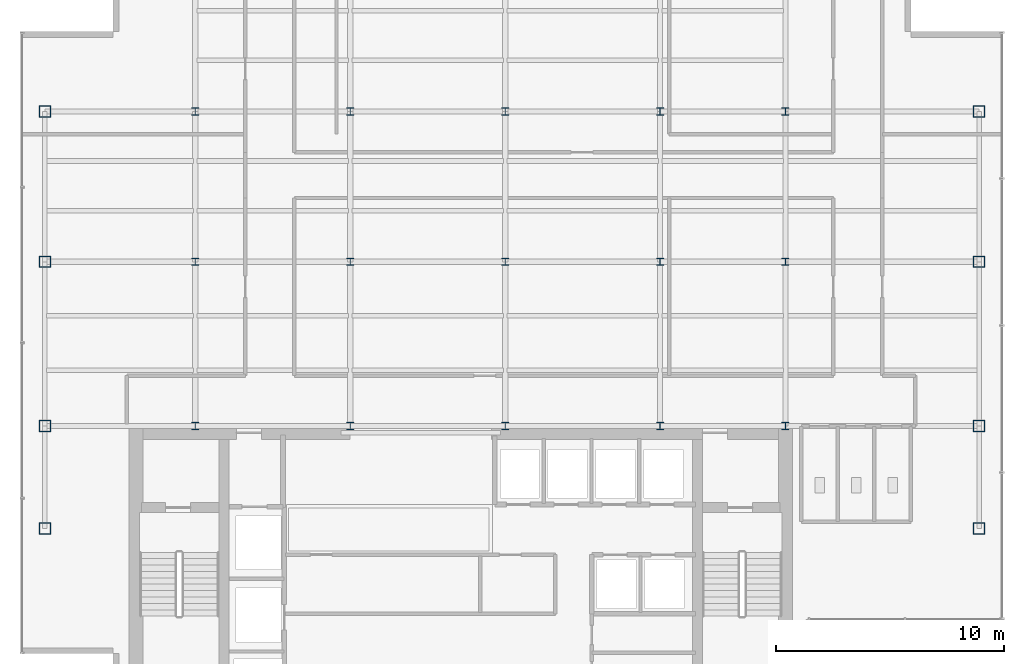
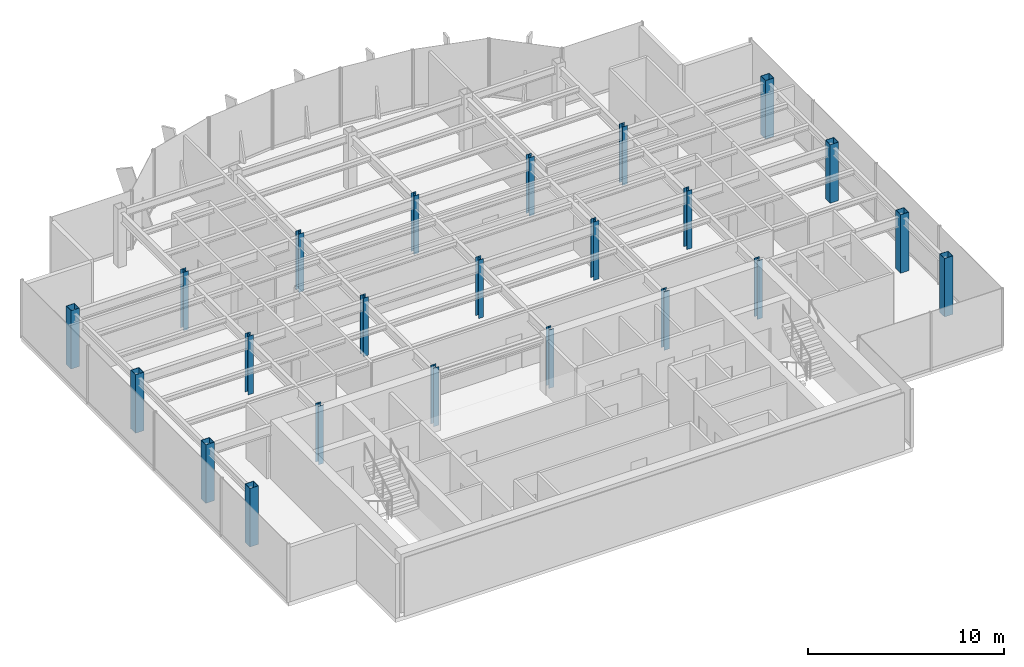
# One storey, part 1 of 22: 23 columns.
"""IFC4 building model written with IfcOpenShell, lengths in metres."""

from ifc_helpers import new_model, si_unit, derived_unit, direction, frame, origin, origin_2d, place, context, subcontext, project, spatial, hollow_rectangle, i_section, extrude, source, transform, mapped, material, material_profile, profile_set, type_object, element, save


model = new_model("IFC4")

# Units and contexts
model_context = context("Model", 3, precision=1e-05, world=origin(), true_north=direction((0.0, 1.0)))
body_context = subcontext(model_context, "Body", "Model", "MODEL_VIEW")
ifc_project = project(units=[si_unit("LENGTHUNIT", "METRE"), si_unit("AREAUNIT", "SQUARE_METRE"), si_unit("VOLUMEUNIT", "CUBIC_METRE"), si_unit("PLANEANGLEUNIT", "RADIAN"), si_unit("MASSUNIT", "GRAM", prefix="KILO"), derived_unit("THERMALTRANSMITTANCEUNIT", [(si_unit("POWERUNIT", "WATT"), 1), (si_unit("LENGTHUNIT", "METRE"), -2), (si_unit("THERMODYNAMICTEMPERATUREUNIT", "KELVIN"), -1)])], contexts=[model_context])

# Site, building, storey
site_placement = place(None, origin())
site = spatial("IfcSite", under=ifc_project, at=site_placement, CompositionType="ELEMENT")
building_placement = place(site_placement, origin())
building = spatial("IfcBuilding", under=site, at=building_placement, Name="Skarnbrae Concourse Arena and Tower", CompositionType="ELEMENT")
storey_placement = place(building_placement, frame((0.0, 0.0, 244.199951171875)))
storey = spatial("IfcBuildingStorey", under=building, at=storey_placement, Name="L63", CompositionType="ELEMENT", Elevation=244.199951171875)

# Columns
ifc_material = material(Name="Steel CSA G40.21 350W", Category="steel")
ifc_material_profile_1 = material_profile(ifc_material, hollow_rectangle(XDim=0.5, YDim=0.5, WallThickness=0.02197265625, at=origin_2d()), Name="HSS500X500X22.0")
ifc_profile_set_1 = profile_set([ifc_material_profile_1], Name="Steel CSA G40.21 350W")
column_type_1 = type_object("IfcColumnType", Name="COL-TUBE-HSS500", PredefinedType="COLUMN", material=ifc_profile_set_1)
shared_shape_1 = source(origin(), body_context, "Body", "SweptSolid", [
    extrude(hollow_rectangle(XDim=0.5, YDim=0.5, WallThickness=0.02197265625, at=origin_2d()), origin(), (0.0, 0.0, 1.0), 3.650146484375),
])
for number, where, z_axis, x_axis, name in (
    (1, (1.0, 9.5, 0.0), (0.0, 0.0, 1.0), (1.0, 0.0, 0.0), "L63 Tower column PC_01_01"),
    (2, (1.0, 14.0, 0.0), (0.0, 0.0, 1.0), (1.0, 0.0, 0.0), "L63 Tower column PC_01_02"),
    (3, (1.0, 21.199951171875, 0.0), (0.0, 0.0, 1.0), (1.0, 0.0, 0.0), "L63 Tower column PC_01_03"),
    (4, (1.0, 27.800048828125, 0.0), (0.0, 0.0, 1.0), (1.0, 0.0, 0.0), "L63 Tower column PC_01_04"),
    (5, (42.0, 9.5, 0.0), (0.0, 0.0, 1.0), (1.0, 0.0, 0.0), "L63 Tower column PC_07_01"),
    (6, (42.0, 14.0, 0.0), (0.0, 0.0, 1.0), (1.0, 0.0, 0.0), "L63 Tower column PC_07_02"),
    (7, (42.0, 21.199951171875, 0.0), (0.0, 0.0, 1.0), (1.0, 0.0, 0.0), "L63 Tower column PC_07_03"),
    (8, (42.0, 27.800048828125, 0.0), (0.0, 0.0, 1.0), (1.0, 0.0, 0.0), "L63 Tower column PC_07_04"),
):
    element("IfcColumn", number, at=place(storey_placement, frame(where, z_axis=z_axis, x_axis=x_axis)), inside=storey, type_object=column_type_1, Name=name, PredefinedType="COLUMN", context=body_context, shape_type="MappedRepresentation", body=[
        mapped(shared_shape_1, transform((0.0, 0.0, 0.0))),
    ])
ifc_material_profile_2 = material_profile(ifc_material, i_section(OverallWidth=0.30908203125, OverallDepth=0.322998046875, WebThickness=0.013916015625, FlangeThickness=0.02294921875, at=origin_2d()), Name="W310X143")
ifc_profile_set_2 = profile_set([ifc_material_profile_2], Name="Steel CSA G40.21 350W")
column_type_2 = type_object("IfcColumnType", Name="COL-INT-W310X143", PredefinedType="COLUMN", material=ifc_profile_set_2)
shared_shape_2 = source(origin(), body_context, "Body", "SweptSolid", [
    extrude(i_section(OverallWidth=0.30908203125, OverallDepth=0.322998046875, WebThickness=0.013916015625, FlangeThickness=0.02294921875, at=origin_2d()), origin(), (0.0, 0.0, 1.0), 3.650146484375),
])
for number, where, z_axis, x_axis, name in (
    (9, (7.60009765625, 14.0, 0.0), (0.0, 0.0, 1.0), (1.0, 0.0, 0.0), "L63 Tower column IC_02_02"),
    (10, (7.60009765625, 21.199951171875, 0.0), (0.0, 0.0, 1.0), (1.0, 0.0, 0.0), "L63 Tower column IC_02_03"),
    (11, (7.60009765625, 27.800048828125, 0.0), (0.0, 0.0, 1.0), (1.0, 0.0, 0.0), "L63 Tower column IC_02_04"),
    (12, (14.39990234375, 14.0, 0.0), (0.0, 0.0, 1.0), (1.0, 0.0, 0.0), "L63 Tower column IC_03_02"),
    (13, (14.39990234375, 21.199951171875, 0.0), (0.0, 0.0, 1.0), (1.0, 0.0, 0.0), "L63 Tower column IC_03_03"),
    (14, (14.39990234375, 27.800048828125, 0.0), (0.0, 0.0, 1.0), (1.0, 0.0, 0.0), "L63 Tower column IC_03_04"),
    (15, (21.199951171875, 14.0, 0.0), (0.0, 0.0, 1.0), (1.0, 0.0, 0.0), "L63 Tower column IC_04_02"),
    (16, (21.199951171875, 21.199951171875, 0.0), (0.0, 0.0, 1.0), (1.0, 0.0, 0.0), "L63 Tower column IC_04_03"),
    (17, (21.199951171875, 27.800048828125, 0.0), (0.0, 0.0, 1.0), (1.0, 0.0, 0.0), "L63 Tower column IC_04_04"),
    (18, (28.0, 14.0, 0.0), (0.0, 0.0, 1.0), (1.0, 0.0, 0.0), "L63 Tower column IC_05_02"),
    (19, (28.0, 21.199951171875, 0.0), (0.0, 0.0, 1.0), (1.0, 0.0, 0.0), "L63 Tower column IC_05_03"),
    (20, (28.0, 27.800048828125, 0.0), (0.0, 0.0, 1.0), (1.0, 0.0, 0.0), "L63 Tower column IC_05_04"),
    (21, (33.5, 14.0, 0.0), (0.0, 0.0, 1.0), (1.0, 0.0, 0.0), "L63 Tower column IC_06_02"),
    (22, (33.5, 21.199951171875, 0.0), (0.0, 0.0, 1.0), (1.0, 0.0, 0.0), "L63 Tower column IC_06_03"),
    (23, (33.5, 27.800048828125, 0.0), (0.0, 0.0, 1.0), (1.0, 0.0, 0.0), "L63 Tower column IC_06_04"),
):
    element("IfcColumn", number, at=place(storey_placement, frame(where, z_axis=z_axis, x_axis=x_axis)), inside=storey, type_object=column_type_2, Name=name, PredefinedType="COLUMN", context=body_context, shape_type="MappedRepresentation", body=[
        mapped(shared_shape_2, transform((0.0, 0.0, 0.0))),
    ])

save(model, "model.ifc")
